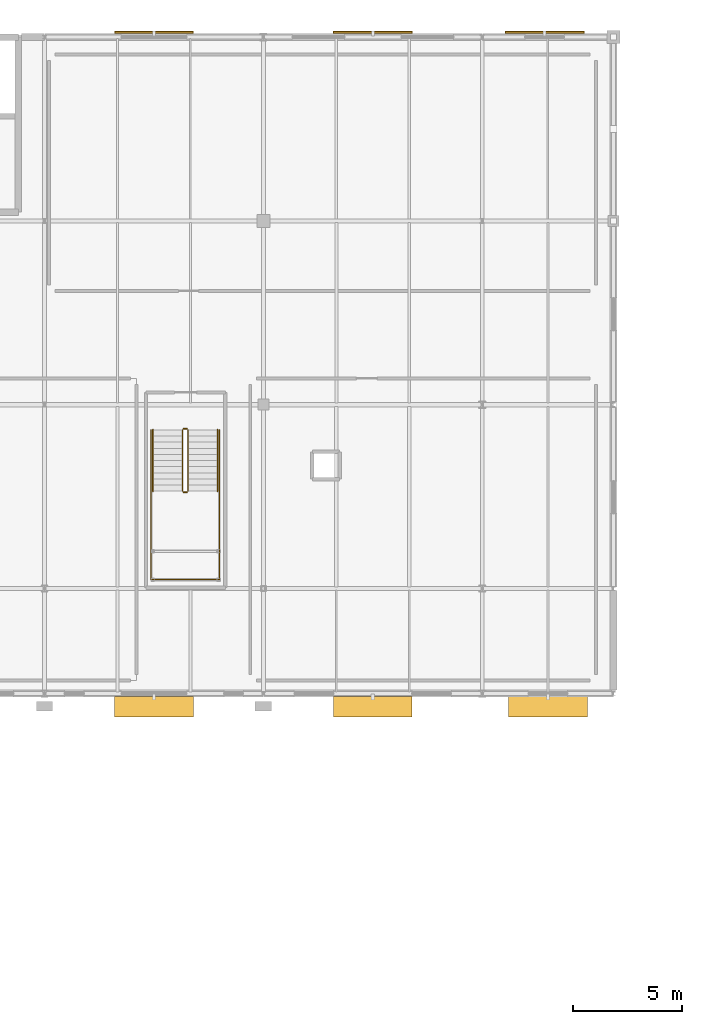
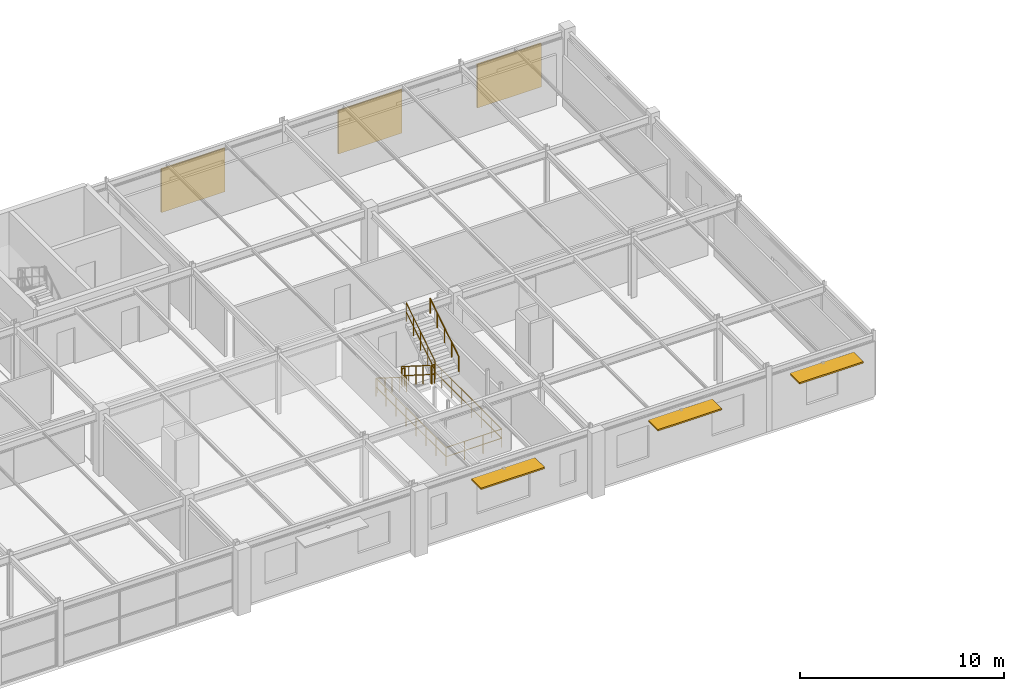
# One storey, part 98 of 98: 9 railings, 6 shading devices.
"""IFC4 building model written with IfcOpenShell, lengths in metres."""

from ifc_helpers import new_model, si_unit, derived_unit, direction, frame, origin, origin_2d_with_axis, place, context, subcontext, project, spatial, rectangle, circle, extrude, material, layer, layer_set, type_object, element, save


model = new_model("IFC4")

# Units and contexts
model_context = context("Model", 3, precision=1e-05, world=origin(), true_north=direction((0.0, 1.0)))
body_context = subcontext(model_context, "Body", "Model", "MODEL_VIEW")
ifc_project = project(units=[si_unit("LENGTHUNIT", "METRE"), si_unit("AREAUNIT", "SQUARE_METRE"), si_unit("VOLUMEUNIT", "CUBIC_METRE"), si_unit("PLANEANGLEUNIT", "RADIAN"), si_unit("MASSUNIT", "GRAM", prefix="KILO"), derived_unit("THERMALTRANSMITTANCEUNIT", [(si_unit("POWERUNIT", "WATT"), 1), (si_unit("LENGTHUNIT", "METRE"), -2), (si_unit("THERMODYNAMICTEMPERATUREUNIT", "KELVIN"), -1)])], contexts=[model_context])

# Site, building, storey
site_placement = place(None, origin())
site = spatial("IfcSite", under=ifc_project, at=site_placement, CompositionType="ELEMENT")
building_placement = place(site_placement, origin())
building = spatial("IfcBuilding", under=site, at=building_placement, Name="Cinnabar Yard Market Hall", CompositionType="ELEMENT")
storey_placement = place(building_placement, frame((0.0, 0.0, 4.5)))
storey = spatial("IfcBuildingStorey", under=building, at=storey_placement, Name="L01", CompositionType="ELEMENT", Elevation=4.5)

# Railings
ifc_material_1 = material(Name="Laminated glass and bronze handrail", Category="glass")
ifc_layer_1 = layer(ifc_material_1, 0.070068359375)
ifc_layer_set_1 = layer_set([ifc_layer_1], Name="Laminated glass and bronze handrail")
railing_type_1 = type_object("IfcRailingType", Name="RL-G01", PredefinedType="BALUSTRADE", material=ifc_layer_set_1)
railing_1_placement = place(storey_placement, frame((142.300048828125, 120.050048828125, 0.17724609375)))
element("IfcRailing", 1, at=railing_1_placement, inside=storey, type_object=railing_type_1, Name="L01 ST-F6 stair guard 1", PredefinedType="BALUSTRADE", context=body_context, shape_type="SweptSolid", body=[
    extrude(circle(Radius=0.02392578125, at=origin_2d_with_axis()), frame((0.0, 0.0, 1.09619140625), z_axis=(0.0, -0.844908973607, 0.534910110503), x_axis=(1.0, 0.0, 0.0)), (0.0, 0.0, 1.0), 3.31396484375),
    extrude(circle(Radius=0.02392578125, at=origin_2d_with_axis()), frame((0.0, 0.0, 0.550048828125), z_axis=(0.0, -0.844908973607, 0.534910110503), x_axis=(1.0, 0.0, 0.0)), (0.0, 0.0, 1.0), 3.31396484375),
    extrude(circle(Radius=0.02099609375, at=origin_2d_with_axis()), origin(), (0.0, 0.0, 1.0), 1.072021484375),
    extrude(circle(Radius=0.02099609375, at=origin_2d_with_axis()), frame((0.0, -0.699951171875, 0.443115234375)), (0.0, 0.0, 1.0), 1.072021484375),
    extrude(circle(Radius=0.02099609375, at=origin_2d_with_axis()), frame((0.0, -1.39990234375, 0.88623046875)), (0.0, 0.0, 1.0), 1.072021484375),
    extrude(circle(Radius=0.02099609375, at=origin_2d_with_axis()), frame((0.0, -2.10009765625, 1.32958984375)), (0.0, 0.0, 1.0), 1.072021484375),
    extrude(circle(Radius=0.02099609375, at=origin_2d_with_axis()), frame((0.0, -2.800048828125, 1.772705078125)), (0.0, 0.0, 1.0), 1.072021484375),
])
railing_2_placement = place(storey_placement, frame((142.35009765625, 117.199951171875, 1.949951171875)))
element("IfcRailing", 2, at=railing_2_placement, inside=storey, type_object=railing_type_1, Name="L01 ST-F6 stair guard 2", PredefinedType="BALUSTRADE", context=body_context, shape_type="SweptSolid", body=[
    extrude(circle(Radius=0.02392578125, at=origin_2d_with_axis()), frame((0.0, 0.0, 1.09619140625), z_axis=(1.0, 0.0, 0.0), x_axis=(0.0, 1.0, 0.0)), (0.0, 0.0, 1.0), 0.159912109375),
    extrude(circle(Radius=0.02392578125, at=origin_2d_with_axis()), frame((0.0, 0.0, 0.550048828125), z_axis=(1.0, 0.0, 0.0), x_axis=(0.0, 1.0, 0.0)), (0.0, 0.0, 1.0), 0.159912109375),
    extrude(circle(Radius=0.02099609375, at=origin_2d_with_axis()), origin(), (0.0, 0.0, 1.0), 1.072021484375),
    extrude(circle(Radius=0.02099609375, at=origin_2d_with_axis()), frame((0.159912109375, 0.0, 0.0)), (0.0, 0.0, 1.0), 1.072021484375),
])
railing_3_placement = place(storey_placement, frame((142.56005859375, 117.25, 2.127197265625)))
element("IfcRailing", 3, at=railing_3_placement, inside=storey, type_object=railing_type_1, Name="L01 ST-F6 stair guard 3", PredefinedType="BALUSTRADE", context=body_context, shape_type="SweptSolid", body=[
    extrude(circle(Radius=0.02392578125, at=origin_2d_with_axis()), frame((0.0, 0.0, 1.09619140625), z_axis=(0.0, 0.844908973607, 0.534910110503), x_axis=(-1.0, 0.0, 0.0)), (0.0, 0.0, 1.0), 3.31396484375),
    extrude(circle(Radius=0.02392578125, at=origin_2d_with_axis()), frame((0.0, 0.0, 0.550048828125), z_axis=(0.0, 0.844908973607, 0.534910110503), x_axis=(-1.0, 0.0, 0.0)), (0.0, 0.0, 1.0), 3.31396484375),
    extrude(circle(Radius=0.02099609375, at=origin_2d_with_axis()), origin(), (0.0, 0.0, 1.0), 1.072021484375),
    extrude(circle(Radius=0.02099609375, at=origin_2d_with_axis()), frame((0.0, 0.699951171875, 0.443115234375)), (0.0, 0.0, 1.0), 1.072021484375),
    extrude(circle(Radius=0.02099609375, at=origin_2d_with_axis()), frame((0.0, 1.39990234375, 0.88623046875)), (0.0, 0.0, 1.0), 1.072021484375),
    extrude(circle(Radius=0.02099609375, at=origin_2d_with_axis()), frame((0.0, 2.10009765625, 1.32958984375)), (0.0, 0.0, 1.0), 1.072021484375),
    extrude(circle(Radius=0.02099609375, at=origin_2d_with_axis()), frame((0.0, 2.800048828125, 1.772705078125)), (0.0, 0.0, 1.0), 1.072021484375),
])
railing_4_placement = place(storey_placement, frame((142.35009765625, 120.10009765625, 0.0)))
element("IfcRailing", 4, at=railing_4_placement, inside=storey, type_object=railing_type_1, Name="L01 ST-F6 stair guard 4", PredefinedType="BALUSTRADE", context=body_context, shape_type="SweptSolid", body=[
    extrude(circle(Radius=0.02392578125, at=origin_2d_with_axis()), frame((0.0, 0.0, 1.09619140625), z_axis=(1.0, 0.0, 0.0), x_axis=(0.0, 1.0, 0.0)), (0.0, 0.0, 1.0), 0.159912109375),
    extrude(circle(Radius=0.02392578125, at=origin_2d_with_axis()), frame((0.0, 0.0, 0.550048828125), z_axis=(1.0, 0.0, 0.0), x_axis=(0.0, 1.0, 0.0)), (0.0, 0.0, 1.0), 0.159912109375),
    extrude(circle(Radius=0.02099609375, at=origin_2d_with_axis()), origin(), (0.0, 0.0, 1.0), 1.072021484375),
    extrude(circle(Radius=0.02099609375, at=origin_2d_with_axis()), frame((0.159912109375, 0.0, 0.0)), (0.0, 0.0, 1.0), 1.072021484375),
])
railing_5_placement = place(storey_placement, frame((140.860107421875, 120.050048828125, 0.0)))
element("IfcRailing", 5, at=railing_5_placement, inside=storey, type_object=railing_type_1, Name="Feature Stair ST-F6 L01 Well Guard 1", PredefinedType="BALUSTRADE", context=body_context, shape_type="SweptSolid", body=[
    extrude(circle(Radius=0.02392578125, at=origin_2d_with_axis()), frame((0.0, 0.0, 1.09619140625), z_axis=(0.0, -1.0, 0.0), x_axis=(1.0, 0.0, 0.0)), (0.0, 0.0, 1.0), 6.840087890625),
    extrude(circle(Radius=0.02392578125, at=origin_2d_with_axis()), frame((0.0, 0.0, 0.550048828125), z_axis=(0.0, -1.0, 0.0), x_axis=(1.0, 0.0, 0.0)), (0.0, 0.0, 1.0), 6.840087890625),
    extrude(circle(Radius=0.02099609375, at=origin_2d_with_axis()), origin(), (0.0, 0.0, 1.0), 1.072021484375),
    extrude(circle(Radius=0.02099609375, at=origin_2d_with_axis()), frame((0.0, -0.97705078125, 0.0)), (0.0, 0.0, 1.0), 1.072021484375),
    extrude(circle(Radius=0.02099609375, at=origin_2d_with_axis()), frame((0.0, -1.954345703125, 0.0)), (0.0, 0.0, 1.0), 1.072021484375),
    extrude(circle(Radius=0.02099609375, at=origin_2d_with_axis()), frame((0.0, -2.931396484375, 0.0)), (0.0, 0.0, 1.0), 1.072021484375),
    extrude(circle(Radius=0.02099609375, at=origin_2d_with_axis()), frame((0.0, -3.90869140625, 0.0)), (0.0, 0.0, 1.0), 1.072021484375),
    extrude(circle(Radius=0.02099609375, at=origin_2d_with_axis()), frame((0.0, -4.8857421875, 0.0)), (0.0, 0.0, 1.0), 1.072021484375),
    extrude(circle(Radius=0.02099609375, at=origin_2d_with_axis()), frame((0.0, -5.863037109375, 0.0)), (0.0, 0.0, 1.0), 1.072021484375),
    extrude(circle(Radius=0.02099609375, at=origin_2d_with_axis()), frame((0.0, -6.840087890625, 0.0)), (0.0, 0.0, 1.0), 1.072021484375),
])
railing_6_placement = place(storey_placement, frame((140.860107421875, 113.2099609375, 0.0)))
element("IfcRailing", 6, at=railing_6_placement, inside=storey, type_object=railing_type_1, Name="Feature Stair ST-F6 L01 Well Guard 2", PredefinedType="BALUSTRADE", context=body_context, shape_type="SweptSolid", body=[
    extrude(circle(Radius=0.02392578125, at=origin_2d_with_axis()), frame((0.0, 0.0, 1.09619140625), z_axis=(1.0, 0.0, 0.0), x_axis=(0.0, 1.0, 0.0)), (0.0, 0.0, 1.0), 3.139892578125),
    extrude(circle(Radius=0.02392578125, at=origin_2d_with_axis()), frame((0.0, 0.0, 0.550048828125), z_axis=(1.0, 0.0, 0.0), x_axis=(0.0, 1.0, 0.0)), (0.0, 0.0, 1.0), 3.139892578125),
    extrude(circle(Radius=0.02099609375, at=origin_2d_with_axis()), origin(), (0.0, 0.0, 1.0), 1.072021484375),
    extrude(circle(Radius=0.02099609375, at=origin_2d_with_axis()), frame((1.046630859375, 0.0, 0.0)), (0.0, 0.0, 1.0), 1.072021484375),
    extrude(circle(Radius=0.02099609375, at=origin_2d_with_axis()), frame((2.09326171875, 0.0, 0.0)), (0.0, 0.0, 1.0), 1.072021484375),
    extrude(circle(Radius=0.02099609375, at=origin_2d_with_axis()), frame((3.139892578125, 0.0, 0.0)), (0.0, 0.0, 1.0), 1.072021484375),
])
railing_7_placement = place(storey_placement, frame((144.0, 113.2099609375, 0.0)))
element("IfcRailing", 7, at=railing_7_placement, inside=storey, type_object=railing_type_1, Name="Feature Stair ST-F6 L01 Well Guard 3", PredefinedType="BALUSTRADE", context=body_context, shape_type="SweptSolid", body=[
    extrude(circle(Radius=0.02392578125, at=origin_2d_with_axis()), frame((0.0, 0.0, 1.09619140625), z_axis=(0.0, 1.0, 0.0), x_axis=(-1.0, 0.0, 0.0)), (0.0, 0.0, 1.0), 6.840087890625),
    extrude(circle(Radius=0.02392578125, at=origin_2d_with_axis()), frame((0.0, 0.0, 0.550048828125), z_axis=(0.0, 1.0, 0.0), x_axis=(-1.0, 0.0, 0.0)), (0.0, 0.0, 1.0), 6.840087890625),
    extrude(circle(Radius=0.02099609375, at=origin_2d_with_axis()), origin(), (0.0, 0.0, 1.0), 1.072021484375),
    extrude(circle(Radius=0.02099609375, at=origin_2d_with_axis()), frame((0.0, 0.97705078125, 0.0)), (0.0, 0.0, 1.0), 1.072021484375),
    extrude(circle(Radius=0.02099609375, at=origin_2d_with_axis()), frame((0.0, 1.954345703125, 0.0)), (0.0, 0.0, 1.0), 1.072021484375),
    extrude(circle(Radius=0.02099609375, at=origin_2d_with_axis()), frame((0.0, 2.931396484375, 0.0)), (0.0, 0.0, 1.0), 1.072021484375),
    extrude(circle(Radius=0.02099609375, at=origin_2d_with_axis()), frame((0.0, 3.90869140625, 0.0)), (0.0, 0.0, 1.0), 1.072021484375),
    extrude(circle(Radius=0.02099609375, at=origin_2d_with_axis()), frame((0.0, 4.8857421875, 0.0)), (0.0, 0.0, 1.0), 1.072021484375),
    extrude(circle(Radius=0.02099609375, at=origin_2d_with_axis()), frame((0.0, 5.863037109375, 0.0)), (0.0, 0.0, 1.0), 1.072021484375),
    extrude(circle(Radius=0.02099609375, at=origin_2d_with_axis()), frame((0.0, 6.840087890625, 0.0)), (0.0, 0.0, 1.0), 1.072021484375),
])
ifc_material_2 = material(Name="Brushed stainless steel handrail", Category="steel")
ifc_layer_2 = layer(ifc_material_2, 0.050048828125)
ifc_layer_set_2 = layer_set([ifc_layer_2], Name="Brushed stainless steel handrail")
railing_type_2 = type_object("IfcRailingType", Name="RL-HR1", PredefinedType="HANDRAIL", material=ifc_layer_set_2)
railing_8_placement = place(storey_placement, frame((140.949951171875, 120.050048828125, 0.17724609375)))
element("IfcRailing", 8, at=railing_8_placement, inside=storey, type_object=railing_type_2, Name="L01 ST-F6 stair handrail 1", PredefinedType="HANDRAIL", context=body_context, shape_type="SweptSolid", body=[
    extrude(circle(Radius=0.02392578125, at=origin_2d_with_axis()), frame((0.0, 0.0, 0.8759765625), z_axis=(0.0, -0.844908973607, 0.534910110503), x_axis=(1.0, 0.0, 0.0)), (0.0, 0.0, 1.0), 3.31396484375),
    extrude(circle(Radius=0.02099609375, at=origin_2d_with_axis()), origin(), (0.0, 0.0, 1.0), 0.851806640625),
    extrude(circle(Radius=0.02099609375, at=origin_2d_with_axis()), frame((0.0, -0.699951171875, 0.443115234375)), (0.0, 0.0, 1.0), 0.851806640625),
    extrude(circle(Radius=0.02099609375, at=origin_2d_with_axis()), frame((0.0, -1.39990234375, 0.88623046875)), (0.0, 0.0, 1.0), 0.851806640625),
    extrude(circle(Radius=0.02099609375, at=origin_2d_with_axis()), frame((0.0, -2.10009765625, 1.32958984375)), (0.0, 0.0, 1.0), 0.851806640625),
    extrude(circle(Radius=0.02099609375, at=origin_2d_with_axis()), frame((0.0, -2.800048828125, 1.772705078125)), (0.0, 0.0, 1.0), 0.851806640625),
])
railing_9_placement = place(storey_placement, frame((143.909912109375, 117.25, 2.127197265625)))
element("IfcRailing", 9, at=railing_9_placement, inside=storey, type_object=railing_type_2, Name="L01 ST-F6 stair handrail 2", PredefinedType="HANDRAIL", context=body_context, shape_type="SweptSolid", body=[
    extrude(circle(Radius=0.02392578125, at=origin_2d_with_axis()), frame((0.0, 0.0, 0.8759765625), z_axis=(0.0, 0.844908973607, 0.534910110503), x_axis=(-1.0, 0.0, 0.0)), (0.0, 0.0, 1.0), 3.31396484375),
    extrude(circle(Radius=0.02099609375, at=origin_2d_with_axis()), origin(), (0.0, 0.0, 1.0), 0.851806640625),
    extrude(circle(Radius=0.02099609375, at=origin_2d_with_axis()), frame((0.0, 0.699951171875, 0.443115234375)), (0.0, 0.0, 1.0), 0.851806640625),
    extrude(circle(Radius=0.02099609375, at=origin_2d_with_axis()), frame((0.0, 1.39990234375, 0.88623046875)), (0.0, 0.0, 1.0), 0.851806640625),
    extrude(circle(Radius=0.02099609375, at=origin_2d_with_axis()), frame((0.0, 2.10009765625, 1.32958984375)), (0.0, 0.0, 1.0), 0.851806640625),
    extrude(circle(Radius=0.02099609375, at=origin_2d_with_axis()), frame((0.0, 2.800048828125, 1.772705078125)), (0.0, 0.0, 1.0), 0.851806640625),
])

# Shading devices
ifc_material_3 = material(Name="Projecting sandstone-clad steel chhajja hood", Category="masonry")
shading_device_type_1 = type_object("IfcShadingDeviceType", Name="SHD-CHJ1", PredefinedType="SHUTTER", material=ifc_material_3)
for number, where, z_axis, x_axis, name in (
    (10, (141.0, 107.39990234375, 2.96484375), (0.0, 0.0, 1.0), (1.0, 0.0, 0.0), "Wing South Chhajja Hood L01 Bay 8"),
    (11, (150.99951171875, 107.39990234375, 2.96484375), (0.0, 0.0, 1.0), (1.0, 0.0, 0.0), "Wing South Chhajja Hood L01 Bay 9"),
    (12, (159.00048828125, 107.39990234375, 2.96484375), (0.0, 0.0, 1.0), (1.0, 0.0, 0.0), "Wing South Chhajja Hood L01 Bay 10"),
):
    element("IfcShadingDevice", number, at=place(storey_placement, frame(where, z_axis=z_axis, x_axis=x_axis)), inside=storey, type_object=shading_device_type_1, Name=name, PredefinedType="SHUTTER", context=body_context, shape_type="SweptSolid", body=[
        extrude(rectangle(XDim=3.60009765625, YDim=0.949951171875, at=origin_2d_with_axis()), origin(), (0.0, 0.0, 1.0), 0.090087890625),
    ])
ifc_material_4 = material(Name="Perforated weathering bronze aluminium jali screen", Category="aluminium")
shading_device_type_2 = type_object("IfcShadingDeviceType", Name="SHD-JALI1", PredefinedType="JALOUSIE", material=ifc_material_4)
for number, where, z_axis, x_axis, name in (
    (13, (140.9990234375, 138.219970703125, 0.550048828125), (0.0, 0.0, 1.0), (1.0, 0.0, 0.0), "Wing North Jali Screen L01 Bay 8"),
    (14, (151.0009765625, 138.219970703125, 0.550048828125), (0.0, 0.0, 1.0), (1.0, 0.0, 0.0), "Wing North Jali Screen L01 Bay 9"),
    (15, (158.85302734375, 138.219970703125, 0.550048828125), (0.0, 0.0, 1.0), (1.0, 0.0, 0.0), "Wing North Jali Screen L01 Bay 10"),
):
    element("IfcShadingDevice", number, at=place(storey_placement, frame(where, z_axis=z_axis, x_axis=x_axis)), inside=storey, type_object=shading_device_type_2, Name=name, PredefinedType="JALOUSIE", context=body_context, shape_type="SweptSolid", body=[
        extrude(rectangle(XDim=3.60009765625, YDim=0.080078125, at=origin_2d_with_axis()), origin(), (0.0, 0.0, 1.0), 2.60009765625),
    ])

save(model, "model.ifc")
